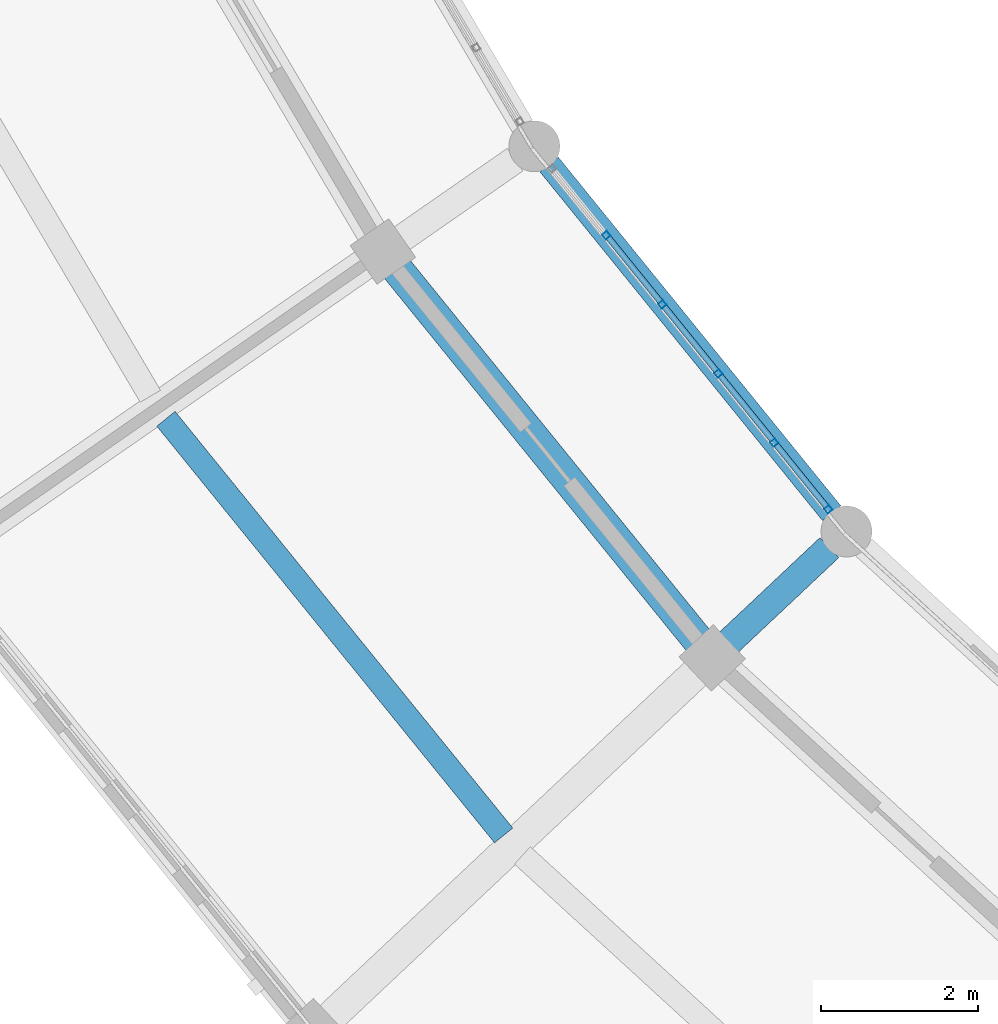
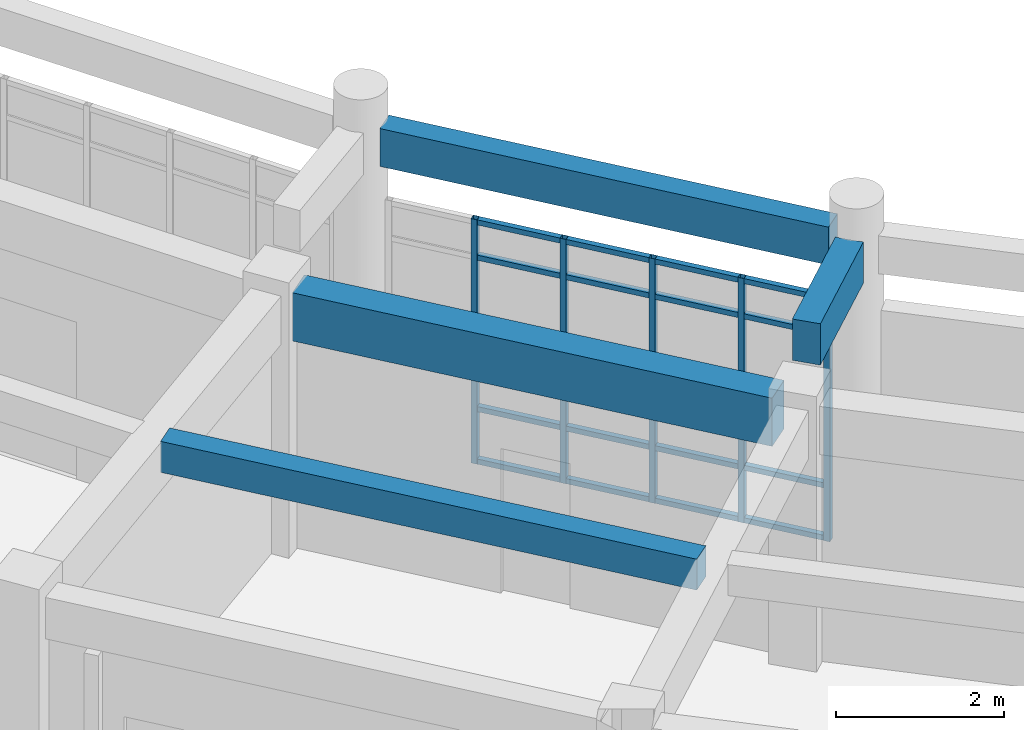
# One storey, part 18 of 159: 21 members, 4 beams, 1 element without a shape of its own.
"""IFC4 building model written with IfcOpenShell, lengths in metres."""

from ifc_helpers import new_model, si_unit, direction, frame, origin, origin_2d, place, context, subcontext, project, spatial, rectangle, hollow_rectangle, extrude, material, material_profile, profile_set, type_object, element, aggregate, save


model = new_model("IFC4")

# Units and contexts
model_context = context("Model", 3, precision=1e-05, world=origin(), true_north=direction((0.0, 1.0)))
body_context = subcontext(model_context, "Body", "Model", "MODEL_VIEW")
ifc_project = project(units=[si_unit("LENGTHUNIT", "METRE"), si_unit("AREAUNIT", "SQUARE_METRE"), si_unit("VOLUMEUNIT", "CUBIC_METRE"), si_unit("PLANEANGLEUNIT", "RADIAN"), si_unit("MASSUNIT", "GRAM", prefix="KILO")], contexts=[model_context])

# Site, building, storey
site_placement = place(None, origin())
site = spatial("IfcSite", under=ifc_project, at=site_placement, CompositionType="ELEMENT")
building_placement = place(site_placement, origin())
building = spatial("IfcBuilding", under=site, at=building_placement, Name="Celadon Cloister-Ring School", CompositionType="ELEMENT")
storey_placement = place(building_placement, frame((0.0, 0.0, 4.5)))
storey = spatial("IfcBuildingStorey", under=building, at=storey_placement, Name="L01", CompositionType="ELEMENT", Elevation=4.5)

# Beam
ifc_material_1 = material(Name="Concrete C35/45", Category="concrete")
ifc_material_profile_1 = material_profile(ifc_material_1, rectangle(XDim=0.35009765625, YDim=0.60009765625, at=origin_2d()), Name="RC350X600")
ifc_profile_set_1 = profile_set([ifc_material_profile_1], Name="Concrete C35/45")
beam_type_1 = type_object("IfcBeamType", Name="BT-02", PredefinedType="BEAM", material=ifc_profile_set_1)
beam_1_placement = place(storey_placement, frame((54.43505859375, 28.343017578125, 4.35009765625), z_axis=(0.728438191737, 0.685111524366, 0.0), x_axis=(-0.685111524366, 0.728438191737, 0.0)))
element("IfcBeam", 1, at=beam_1_placement, inside=storey, type_object=beam_type_1, Name="Beam 0223", PredefinedType="BEAM", context=body_context, shape_type="SweptSolid", body=[
    extrude(rectangle(XDim=0.35009765625, YDim=0.60009765625, at=origin_2d()), origin(), (0.0, 0.0, 1.0), 1.77490234375),
])

# Curtain wall, members
ifc_material_2 = material(Name="Aluminium EN AW-6063 T6", Category="aluminium")
curtain_wall_type = type_object("IfcCurtainWallType", Name="CW-01", PredefinedType="USERDEFINED", material=ifc_material_2)
curtain_wall_placement = place(storey_placement, origin())
curtain_wall = element("IfcCurtainWall", 2, at=curtain_wall_placement, inside=storey, type_object=curtain_wall_type, Name="Curtain Wall 0028", ObjectType="CURTAIN WALL", PredefinedType="USERDEFINED")
ifc_material_3 = material(Name="Aluminium EN AW-6063 T6", Category="aluminium")
ifc_material_profile_2 = material_profile(ifc_material_3, hollow_rectangle(XDim=0.080078125, YDim=0.080078125, WallThickness=0.00390625, at=origin_2d()), Name="RHS80X80X4")
ifc_profile_set_2 = profile_set([ifc_material_profile_2], Name="Aluminium EN AW-6063 T6")
member_type_1 = type_object("IfcMemberType", Name="CM-03", PredefinedType="MULLION", material=ifc_profile_set_2)
member_1_placement = place(storey_placement, frame((52.88671875, 33.541015625, 0.0), z_axis=(0.0, 0.0, 1.0), x_axis=(0.777068192474, 0.629416415615, 0.0)))
member_1 = element("IfcMember", 3, at=member_1_placement, type_object=member_type_1, Name="CW-01 mullion 2", PredefinedType="MULLION", context=body_context, shape_type="SweptSolid", body=[
    extrude(hollow_rectangle(XDim=0.080078125, YDim=0.080078125, WallThickness=0.00390625, at=origin_2d()), origin(), (0.0, 0.0, 1.0), 3.550048828125),
])
member_2_placement = place(storey_placement, frame((53.60009765625, 32.659912109375, 0.0), z_axis=(0.0, 0.0, 1.0), x_axis=(0.777068192474, 0.629416415615, 0.0)))
member_2 = element("IfcMember", 4, at=member_2_placement, type_object=member_type_1, Name="CW-01 mullion 3", PredefinedType="MULLION", context=body_context, shape_type="SweptSolid", body=[
    extrude(hollow_rectangle(XDim=0.080078125, YDim=0.080078125, WallThickness=0.00390625, at=origin_2d()), origin(), (0.0, 0.0, 1.0), 3.550048828125),
])
member_3_placement = place(storey_placement, frame((54.313720703125, 31.779052734375, 0.0), z_axis=(0.0, 0.0, 1.0), x_axis=(0.777068192474, 0.629416415615, 0.0)))
member_3 = element("IfcMember", 5, at=member_3_placement, type_object=member_type_1, Name="CW-01 mullion 4", PredefinedType="MULLION", context=body_context, shape_type="SweptSolid", body=[
    extrude(hollow_rectangle(XDim=0.080078125, YDim=0.080078125, WallThickness=0.00390625, at=origin_2d()), origin(), (0.0, 0.0, 1.0), 3.550048828125),
])
member_4_placement = place(storey_placement, frame((55.02734375, 30.89794921875, 0.0), z_axis=(0.0, 0.0, 1.0), x_axis=(0.777068192474, 0.629416415615, 0.0)))
member_4 = element("IfcMember", 6, at=member_4_placement, type_object=member_type_1, Name="CW-01 mullion 5", PredefinedType="MULLION", context=body_context, shape_type="SweptSolid", body=[
    extrude(hollow_rectangle(XDim=0.080078125, YDim=0.080078125, WallThickness=0.00390625, at=origin_2d()), origin(), (0.0, 0.0, 1.0), 3.550048828125),
])
member_5_placement = place(storey_placement, frame((55.7158203125, 30.048095703125, 0.0), z_axis=(0.0, 0.0, 1.0), x_axis=(0.777068192474, 0.629416415615, 0.0)))
member_5 = element("IfcMember", 7, at=member_5_placement, type_object=member_type_1, Name="CW-01 mullion 6", PredefinedType="MULLION", context=body_context, shape_type="SweptSolid", body=[
    extrude(hollow_rectangle(XDim=0.080078125, YDim=0.080078125, WallThickness=0.00390625, at=origin_2d()), origin(), (0.0, 0.0, 1.0), 3.550048828125),
])
ifc_material_4 = material(Name="Aluminium EN AW-6063 T6", Category="aluminium")
ifc_material_profile_3 = material_profile(ifc_material_4, hollow_rectangle(XDim=0.074951171875, YDim=0.074951171875, WallThickness=0.00390625, at=origin_2d()), Name="RHS75X75X4")
ifc_profile_set_3 = profile_set([ifc_material_profile_3], Name="Aluminium EN AW-6063 T6")
member_type_2 = type_object("IfcMemberType", Name="CTM-03", PredefinedType="USERDEFINED", material=ifc_profile_set_3)
member_6_placement = place(storey_placement, frame((52.911865234375, 33.510009765625, 0.03759765625), z_axis=(0.62931820134, -0.777147734644, 0.0), x_axis=(0.777147734644, 0.62931820134, 0.0)))
member_6 = element("IfcMember", 8, at=member_6_placement, type_object=member_type_2, Name="CW-01 transom 2.1", ObjectType="TRANSOM", PredefinedType="USERDEFINED", context=body_context, shape_type="SweptSolid", body=[
    extrude(hollow_rectangle(XDim=0.074951171875, YDim=0.074951171875, WallThickness=0.00390625, at=origin_2d()), origin(), (0.0, 0.0, 1.0), 1.0537109375),
])
member_7_placement = place(storey_placement, frame((52.911865234375, 33.510009765625, 0.800048828125), z_axis=(0.62931820134, -0.777147734644, 0.0), x_axis=(0.777147734644, 0.62931820134, 0.0)))
member_7 = element("IfcMember", 9, at=member_7_placement, type_object=member_type_2, Name="CW-01 transom 2.2", ObjectType="TRANSOM", PredefinedType="USERDEFINED", context=body_context, shape_type="SweptSolid", body=[
    extrude(hollow_rectangle(XDim=0.074951171875, YDim=0.074951171875, WallThickness=0.00390625, at=origin_2d()), origin(), (0.0, 0.0, 1.0), 1.0537109375),
])
member_8_placement = place(storey_placement, frame((52.911865234375, 33.510009765625, 3.0), z_axis=(0.62931820134, -0.777147734644, 0.0), x_axis=(0.777147734644, 0.62931820134, 0.0)))
member_8 = element("IfcMember", 10, at=member_8_placement, type_object=member_type_2, Name="CW-01 transom 2.3", ObjectType="TRANSOM", PredefinedType="USERDEFINED", context=body_context, shape_type="SweptSolid", body=[
    extrude(hollow_rectangle(XDim=0.074951171875, YDim=0.074951171875, WallThickness=0.00390625, at=origin_2d()), origin(), (0.0, 0.0, 1.0), 1.0537109375),
])
member_9_placement = place(storey_placement, frame((52.911865234375, 33.510009765625, 3.512451171875), z_axis=(0.62931820134, -0.777147734644, 0.0), x_axis=(0.777147734644, 0.62931820134, 0.0)))
member_9 = element("IfcMember", 11, at=member_9_placement, type_object=member_type_2, Name="CW-01 transom 2.4", ObjectType="TRANSOM", PredefinedType="USERDEFINED", context=body_context, shape_type="SweptSolid", body=[
    extrude(hollow_rectangle(XDim=0.074951171875, YDim=0.074951171875, WallThickness=0.00390625, at=origin_2d()), origin(), (0.0, 0.0, 1.0), 1.0537109375),
])
member_10_placement = place(storey_placement, frame((53.62548828125, 32.62890625, 0.03759765625), z_axis=(0.62931820134, -0.777147734644, 0.0), x_axis=(0.777147734644, 0.62931820134, 0.0)))
member_10 = element("IfcMember", 12, at=member_10_placement, type_object=member_type_2, Name="CW-01 transom 3.1", ObjectType="TRANSOM", PredefinedType="USERDEFINED", context=body_context, shape_type="SweptSolid", body=[
    extrude(hollow_rectangle(XDim=0.074951171875, YDim=0.074951171875, WallThickness=0.00390625, at=origin_2d()), origin(), (0.0, 0.0, 1.0), 1.0537109375),
])
member_11_placement = place(storey_placement, frame((53.62548828125, 32.62890625, 0.800048828125), z_axis=(0.62931820134, -0.777147734644, 0.0), x_axis=(0.777147734644, 0.62931820134, 0.0)))
member_11 = element("IfcMember", 13, at=member_11_placement, type_object=member_type_2, Name="CW-01 transom 3.2", ObjectType="TRANSOM", PredefinedType="USERDEFINED", context=body_context, shape_type="SweptSolid", body=[
    extrude(hollow_rectangle(XDim=0.074951171875, YDim=0.074951171875, WallThickness=0.00390625, at=origin_2d()), origin(), (0.0, 0.0, 1.0), 1.0537109375),
])
member_12_placement = place(storey_placement, frame((53.62548828125, 32.62890625, 3.0), z_axis=(0.62931820134, -0.777147734644, 0.0), x_axis=(0.777147734644, 0.62931820134, 0.0)))
member_12 = element("IfcMember", 14, at=member_12_placement, type_object=member_type_2, Name="CW-01 transom 3.3", ObjectType="TRANSOM", PredefinedType="USERDEFINED", context=body_context, shape_type="SweptSolid", body=[
    extrude(hollow_rectangle(XDim=0.074951171875, YDim=0.074951171875, WallThickness=0.00390625, at=origin_2d()), origin(), (0.0, 0.0, 1.0), 1.0537109375),
])
member_13_placement = place(storey_placement, frame((53.62548828125, 32.62890625, 3.512451171875), z_axis=(0.62931820134, -0.777147734644, 0.0), x_axis=(0.777147734644, 0.62931820134, 0.0)))
member_13 = element("IfcMember", 15, at=member_13_placement, type_object=member_type_2, Name="CW-01 transom 3.4", ObjectType="TRANSOM", PredefinedType="USERDEFINED", context=body_context, shape_type="SweptSolid", body=[
    extrude(hollow_rectangle(XDim=0.074951171875, YDim=0.074951171875, WallThickness=0.00390625, at=origin_2d()), origin(), (0.0, 0.0, 1.0), 1.0537109375),
])
member_14_placement = place(storey_placement, frame((54.3388671875, 31.747802734375, 0.03759765625), z_axis=(0.629571440505, -0.776942598459, 0.0), x_axis=(0.776942598459, 0.629571440505, 0.0)))
member_14 = element("IfcMember", 16, at=member_14_placement, type_object=member_type_2, Name="CW-01 transom 4.1", ObjectType="TRANSOM", PredefinedType="USERDEFINED", context=body_context, shape_type="SweptSolid", body=[
    extrude(hollow_rectangle(XDim=0.074951171875, YDim=0.074951171875, WallThickness=0.00390625, at=origin_2d()), origin(), (0.0, 0.0, 1.0), 1.0537109375),
])
member_15_placement = place(storey_placement, frame((54.3388671875, 31.747802734375, 0.800048828125), z_axis=(0.629571440505, -0.776942598459, 0.0), x_axis=(0.776942598459, 0.629571440505, 0.0)))
member_15 = element("IfcMember", 17, at=member_15_placement, type_object=member_type_2, Name="CW-01 transom 4.2", ObjectType="TRANSOM", PredefinedType="USERDEFINED", context=body_context, shape_type="SweptSolid", body=[
    extrude(hollow_rectangle(XDim=0.074951171875, YDim=0.074951171875, WallThickness=0.00390625, at=origin_2d()), origin(), (0.0, 0.0, 1.0), 1.0537109375),
])
member_16_placement = place(storey_placement, frame((54.3388671875, 31.747802734375, 3.0), z_axis=(0.629571440505, -0.776942598459, 0.0), x_axis=(0.776942598459, 0.629571440505, 0.0)))
member_16 = element("IfcMember", 18, at=member_16_placement, type_object=member_type_2, Name="CW-01 transom 4.3", ObjectType="TRANSOM", PredefinedType="USERDEFINED", context=body_context, shape_type="SweptSolid", body=[
    extrude(hollow_rectangle(XDim=0.074951171875, YDim=0.074951171875, WallThickness=0.00390625, at=origin_2d()), origin(), (0.0, 0.0, 1.0), 1.0537109375),
])
member_17_placement = place(storey_placement, frame((54.3388671875, 31.747802734375, 3.512451171875), z_axis=(0.629571440505, -0.776942598459, 0.0), x_axis=(0.776942598459, 0.629571440505, 0.0)))
member_17 = element("IfcMember", 19, at=member_17_placement, type_object=member_type_2, Name="CW-01 transom 4.4", ObjectType="TRANSOM", PredefinedType="USERDEFINED", context=body_context, shape_type="SweptSolid", body=[
    extrude(hollow_rectangle(XDim=0.074951171875, YDim=0.074951171875, WallThickness=0.00390625, at=origin_2d()), origin(), (0.0, 0.0, 1.0), 1.0537109375),
])
member_18_placement = place(storey_placement, frame((55.052490234375, 30.866943359375, 0.03759765625), z_axis=(0.629440643306, -0.777048567693, 0.0), x_axis=(0.777048567693, 0.629440643306, 0.0)))
member_18 = element("IfcMember", 20, at=member_18_placement, type_object=member_type_2, Name="CW-01 transom 5.1", ObjectType="TRANSOM", PredefinedType="USERDEFINED", context=body_context, shape_type="SweptSolid", body=[
    extrude(hollow_rectangle(XDim=0.074951171875, YDim=0.074951171875, WallThickness=0.00390625, at=origin_2d()), origin(), (0.0, 0.0, 1.0), 1.013916015625),
])
member_19_placement = place(storey_placement, frame((55.052490234375, 30.866943359375, 0.800048828125), z_axis=(0.629440643306, -0.777048567693, 0.0), x_axis=(0.777048567693, 0.629440643306, 0.0)))
member_19 = element("IfcMember", 21, at=member_19_placement, type_object=member_type_2, Name="CW-01 transom 5.2", ObjectType="TRANSOM", PredefinedType="USERDEFINED", context=body_context, shape_type="SweptSolid", body=[
    extrude(hollow_rectangle(XDim=0.074951171875, YDim=0.074951171875, WallThickness=0.00390625, at=origin_2d()), origin(), (0.0, 0.0, 1.0), 1.013916015625),
])
member_20_placement = place(storey_placement, frame((55.052490234375, 30.866943359375, 3.0), z_axis=(0.629440643306, -0.777048567693, 0.0), x_axis=(0.777048567693, 0.629440643306, 0.0)))
member_20 = element("IfcMember", 22, at=member_20_placement, type_object=member_type_2, Name="CW-01 transom 5.3", ObjectType="TRANSOM", PredefinedType="USERDEFINED", context=body_context, shape_type="SweptSolid", body=[
    extrude(hollow_rectangle(XDim=0.074951171875, YDim=0.074951171875, WallThickness=0.00390625, at=origin_2d()), origin(), (0.0, 0.0, 1.0), 1.013916015625),
])
member_21_placement = place(storey_placement, frame((55.052490234375, 30.866943359375, 3.512451171875), z_axis=(0.629440643306, -0.777048567693, 0.0), x_axis=(0.777048567693, 0.629440643306, 0.0)))
member_21 = element("IfcMember", 23, at=member_21_placement, type_object=member_type_2, Name="CW-01 transom 5.4", ObjectType="TRANSOM", PredefinedType="USERDEFINED", context=body_context, shape_type="SweptSolid", body=[
    extrude(hollow_rectangle(XDim=0.074951171875, YDim=0.074951171875, WallThickness=0.00390625, at=origin_2d()), origin(), (0.0, 0.0, 1.0), 1.013916015625),
])
aggregate(curtain_wall, [member_1, member_2, member_3, member_4, member_5, member_6, member_7, member_8, member_9, member_10, member_11, member_12, member_13, member_14, member_15, member_16, member_17, member_18, member_19, member_20, member_21])

# Beams
ifc_material_5 = material(Name="Concrete C35/45", Category="concrete")
ifc_material_profile_4 = material_profile(ifc_material_5, rectangle(XDim=0.39990234375, YDim=0.699951171875, at=origin_2d()), Name="RC400X700")
ifc_profile_set_4 = profile_set([ifc_material_profile_4], Name="Concrete C35/45")
beam_type_2 = type_object("IfcBeamType", Name="GT-03", PredefinedType="USERDEFINED", material=ifc_profile_set_4)
beam_2_placement = place(storey_placement, frame((50.2109375, 33.118896484375, 3.429931640625), z_axis=(0.629696496522, -0.776841246502, 0.0), x_axis=(0.776841246502, 0.629696496522, 0.0)))
element("IfcBeam", 24, at=beam_2_placement, inside=storey, type_object=beam_type_2, Name="Beam 0310", ObjectType="GIRDER", PredefinedType="USERDEFINED", context=body_context, shape_type="SweptSolid", body=[
    extrude(rectangle(XDim=0.39990234375, YDim=0.699951171875, at=origin_2d()), origin(), (0.0, 0.0, 1.0), 6.11572265625),
])
ifc_material_6 = material(Name="Concrete C35/45", Category="concrete")
ifc_material_profile_5 = material_profile(ifc_material_6, rectangle(XDim=0.300048828125, YDim=0.449951171875, at=origin_2d()), Name="RC300X450")
ifc_profile_set_5 = profile_set([ifc_material_profile_5], Name="Concrete C35/45")
beam_type_3 = type_object("IfcBeamType", Name="JT-01", PredefinedType="JOIST", material=ifc_profile_set_5)
beam_3_placement = place(storey_placement, frame((47.27294921875, 31.200927734375, 3.554931640625), z_axis=(0.629687207375, -0.776848776062, 0.0), x_axis=(0.776848776062, 0.629687207375, 0.0)))
element("IfcBeam", 25, at=beam_3_placement, inside=storey, type_object=beam_type_3, Name="Beam 0312", PredefinedType="JOIST", context=body_context, shape_type="SweptSolid", body=[
    extrude(rectangle(XDim=0.300048828125, YDim=0.449951171875, at=origin_2d()), origin(), (0.0, 0.0, 1.0), 6.8349609375),
])
ifc_material_7 = material(Name="Concrete C35/45", Category="concrete")
ifc_material_profile_6 = material_profile(ifc_material_7, rectangle(XDim=0.300048828125, YDim=0.550048828125, at=origin_2d()), Name="RC300X550")
ifc_profile_set_6 = profile_set([ifc_material_profile_6], Name="Concrete C35/45")
beam_type_4 = type_object("IfcBeamType", Name="SP-02", PredefinedType="SPANDREL", material=ifc_profile_set_6)
beam_4_placement = place(storey_placement, frame((52.156982421875, 34.44091796875, 4.375), z_axis=(0.629566613558, -0.776946509802, 0.0), x_axis=(0.776946509802, 0.629566613558, 0.0)))
element("IfcBeam", 26, at=beam_4_placement, inside=storey, type_object=beam_type_4, Name="Beam 0311", PredefinedType="SPANDREL", context=body_context, shape_type="SweptSolid", body=[
    extrude(rectangle(XDim=0.300048828125, YDim=0.550048828125, at=origin_2d()), origin(), (0.0, 0.0, 1.0), 5.71826171875),
])

save(model, "model.ifc")
